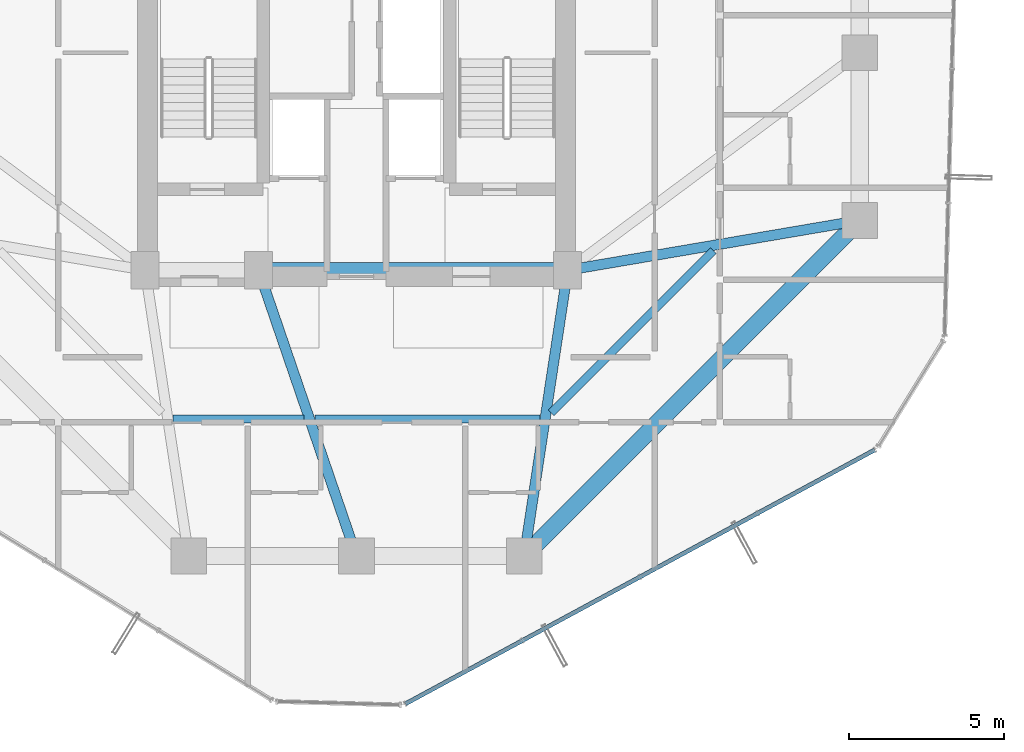
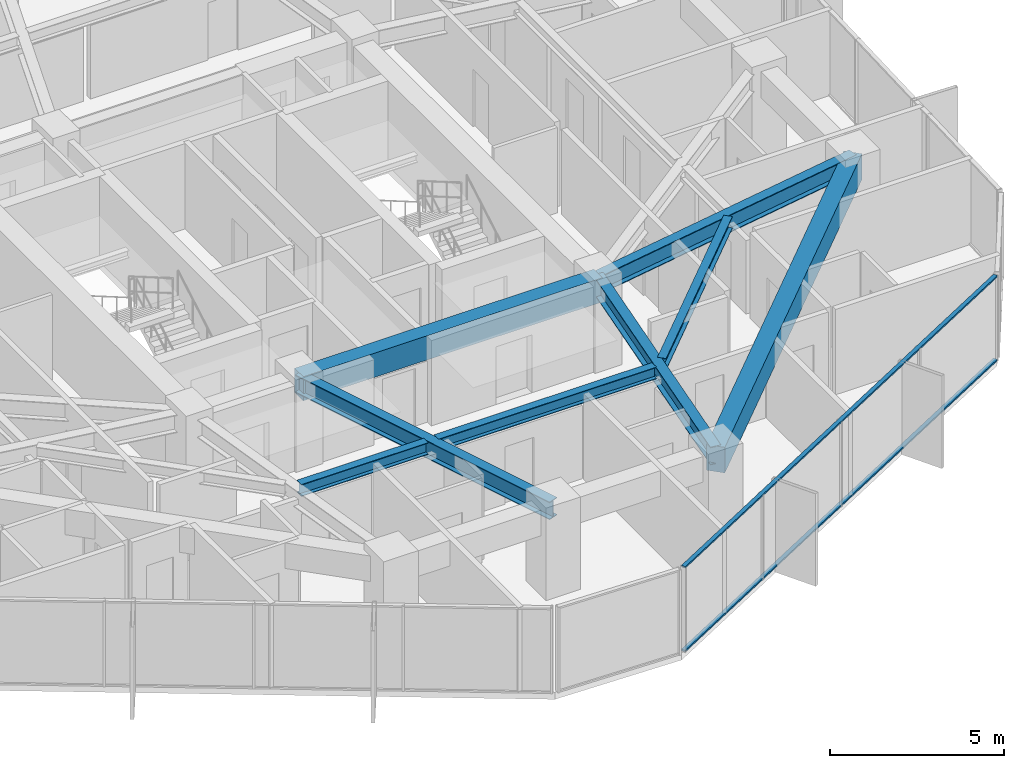
# One storey, part 8 of 30: 8 beams, 2 members, 1 element without a shape of its own.
"""IFC4 building model written with IfcOpenShell, lengths in metres."""

from ifc_helpers import new_model, si_unit, direction, frame, origin, origin_2d, place, context, subcontext, project, spatial, rectangle, hollow_rectangle, i_section, extrude, source, transform, mapped, material, layer, layer_set, material_profile, profile_set, type_object, element, aggregate, save


model = new_model("IFC4")

# Units and contexts
model_context = context("Model", 3, precision=1e-05, world=origin(), true_north=direction((0.0, 1.0)))
body_context = subcontext(model_context, "Body", "Model", "MODEL_VIEW")
ifc_project = project(units=[si_unit("LENGTHUNIT", "METRE"), si_unit("AREAUNIT", "SQUARE_METRE"), si_unit("VOLUMEUNIT", "CUBIC_METRE"), si_unit("PLANEANGLEUNIT", "RADIAN"), si_unit("MASSUNIT", "GRAM", prefix="KILO")], contexts=[model_context])

# Site, building, storey
site_placement = place(None, origin())
site = spatial("IfcSite", under=ifc_project, at=site_placement, CompositionType="ELEMENT")
building_placement = place(site_placement, origin())
building = spatial("IfcBuilding", under=site, at=building_placement, Name="Veraguas Prism Commons", CompositionType="ELEMENT")
storey_placement = place(building_placement, frame((0.0, 0.0, 123.0)))
storey = spatial("IfcBuildingStorey", under=building, at=storey_placement, Name="L34", CompositionType="ELEMENT", Elevation=123.0)

# Beams
ifc_material_1 = material(Name="Concrete C50/60", Category="concrete")
ifc_material_profile_1 = material_profile(ifc_material_1, rectangle(XDim=0.5, YDim=0.85009765625, at=origin_2d()), Name="RC500X850")
ifc_profile_set_1 = profile_set([ifc_material_profile_1], Name="Concrete C50/60")
beam_type_1 = type_object("IfcBeamType", Name="Core Coupling Beam RC 500x850", PredefinedType="BEAM", material=ifc_profile_set_1)
beam_1_placement = place(storey_placement, frame((20.85009765625, 17.0, 2.574951171875), z_axis=(1.0, 0.0, 0.0), x_axis=(0.0, 1.0, 0.0)))
element("IfcBeam", 1, at=beam_1_placement, inside=storey, type_object=beam_type_1, Name="Core Coupling Beam L34-CRS2", PredefinedType="BEAM", context=body_context, shape_type="SweptSolid", body=[
    extrude(rectangle(XDim=0.5, YDim=0.85009765625, at=origin_2d()), origin(), (0.0, 0.0, 1.0), 9.949951171875),
])
ifc_material_2 = material(Name="Steel ASTM A992 Grade 50", Category="steel")
ifc_material_profile_2 = material_profile(ifc_material_2, i_section(OverallWidth=0.260986328125, OverallDepth=0.419921875, WebThickness=0.01171875, FlangeThickness=0.019287109375, at=origin_2d()), Name="W410X114")
ifc_profile_set_2 = profile_set([ifc_material_profile_2], Name="Steel ASTM A992 Grade 50")
beam_type_2 = type_object("IfcBeamType", Name="Lower Floor Joist W410x114", PredefinedType="JOIST", material=ifc_profile_set_2)
beam_2_placement = place(storey_placement, frame((18.091796875, 12.216064453125, 2.7900390625), z_axis=(1.0, 0.0, 0.0), x_axis=(0.0, 1.0, 0.0)))
element("IfcBeam", 2, at=beam_2_placement, inside=storey, type_object=beam_type_2, Name="Composite Floor Joist L34-JS10", PredefinedType="JOIST", context=body_context, shape_type="SweptSolid", body=[
    extrude(i_section(OverallWidth=0.260986328125, OverallDepth=0.419921875, WebThickness=0.01171875, FlangeThickness=0.019287109375, at=origin_2d()), origin(), (0.0, 0.0, 1.0), 4.22509765625),
])
beam_3_placement = place(storey_placement, frame((22.6591796875, 12.216064453125, 2.7900390625), z_axis=(1.0, 0.0, 0.0), x_axis=(0.0, 1.0, 0.0)))
element("IfcBeam", 3, at=beam_3_placement, inside=storey, type_object=beam_type_2, Name="Composite Floor Joist L34-JS11", PredefinedType="JOIST", context=body_context, shape_type="SweptSolid", body=[
    extrude(i_section(OverallWidth=0.260986328125, OverallDepth=0.419921875, WebThickness=0.01171875, FlangeThickness=0.019287109375, at=origin_2d()), origin(), (0.0, 0.0, 1.0), 7.2490234375),
])
beam_4_placement = place(storey_placement, frame((30.265380859375, 12.4091796875, 2.7900390625), z_axis=(0.707090260193, 0.707123301794, 0.0), x_axis=(-0.707123301794, 0.707090260193, 0.0)))
element("IfcBeam", 4, at=beam_4_placement, inside=storey, type_object=beam_type_2, Name="Composite Floor Joist L34-JS12", PredefinedType="JOIST", context=body_context, shape_type="SweptSolid", body=[
    extrude(i_section(OverallWidth=0.260986328125, OverallDepth=0.419921875, WebThickness=0.01171875, FlangeThickness=0.019287109375, at=origin_2d()), origin(), (0.0, 0.0, 1.0), 7.388916015625),
])
ifc_material_profile_3 = material_profile(ifc_material_1, rectangle(XDim=0.550048828125, YDim=0.89990234375, at=origin_2d()), Name="RC550X900")
ifc_profile_set_3 = profile_set([ifc_material_profile_3], Name="Concrete C50/60")
beam_type_3 = type_object("IfcBeamType", Name="Perimeter Spandrel Lower RC 550x900", PredefinedType="SPANDREL", material=ifc_profile_set_3)
beam_5_placement = place(storey_placement, frame((29.39990234375, 7.800048828125, 2.550048828125), z_axis=(0.707106781187, 0.707106781187, 0.0), x_axis=(-0.707106781187, 0.707106781187, 0.0)))
element("IfcBeam", 5, at=beam_5_placement, inside=storey, type_object=beam_type_3, Name="Perimeter Spandrel Beam L34-SP12", PredefinedType="SPANDREL", context=body_context, shape_type="SweptSolid", body=[
    extrude(rectangle(XDim=0.550048828125, YDim=0.89990234375, at=origin_2d()), origin(), (0.0, 0.0, 1.0), 15.273681640625),
])
ifc_material_profile_4 = material_profile(ifc_material_2, i_section(OverallWidth=0.327880859375, OverallDepth=0.6220703125, WebThickness=0.015380859375, FlangeThickness=0.0244140625, at=origin_2d()), Name="W610X195")
ifc_profile_set_4 = profile_set([ifc_material_profile_4], Name="Steel ASTM A992 Grade 50")
beam_type_4 = type_object("IfcBeamType", Name="Zone 2 Radial Girder W610x195", PredefinedType="BEAM", material=ifc_profile_set_4)
beam_6_placement = place(storey_placement, frame((40.199951171875, 18.60009765625, 2.68896484375), z_axis=(-0.985819187151, -0.1678109956, 0.0), x_axis=(0.1678109956, -0.985819187151, 0.0)))
element("IfcBeam", 6, at=beam_6_placement, inside=storey, type_object=beam_type_4, Name="Radial Floor Girder L34-RD01", PredefinedType="BEAM", context=body_context, shape_type="SweptSolid", body=[
    extrude(i_section(OverallWidth=0.327880859375, OverallDepth=0.6220703125, WebThickness=0.015380859375, FlangeThickness=0.0244140625, at=origin_2d()), origin(), (0.0, 0.0, 1.0), 9.53515625),
])
beam_7_placement = place(storey_placement, frame((24.0, 7.800048828125, 2.68896484375), z_axis=(-0.323922482989, 0.946083624747, 0.0), x_axis=(-0.946083624747, -0.323922482989, 0.0)))
element("IfcBeam", 7, at=beam_7_placement, inside=storey, type_object=beam_type_4, Name="Radial Floor Girder L34-RD11", PredefinedType="BEAM", context=body_context, shape_type="SweptSolid", body=[
    extrude(i_section(OverallWidth=0.327880859375, OverallDepth=0.6220703125, WebThickness=0.015380859375, FlangeThickness=0.0244140625, at=origin_2d()), origin(), (0.0, 0.0, 1.0), 9.724365234375),
])
beam_8_placement = place(storey_placement, frame((29.39990234375, 7.800048828125, 2.68896484375), z_axis=(0.150458162136, 0.98861637729, 0.0), x_axis=(-0.98861637729, 0.150458162136, 0.0)))
element("IfcBeam", 8, at=beam_8_placement, inside=storey, type_object=beam_type_4, Name="Radial Floor Girder L34-RD12", PredefinedType="BEAM", context=body_context, shape_type="SweptSolid", body=[
    extrude(i_section(OverallWidth=0.327880859375, OverallDepth=0.6220703125, WebThickness=0.015380859375, FlangeThickness=0.0244140625, at=origin_2d()), origin(), (0.0, 0.0, 1.0), 9.305908203125),
])

# Curtain wall, members
ifc_material_3 = material(Name="Anodised aluminium EN AW-6063 T6", Category="aluminium")
ifc_layer = layer(ifc_material_3, 0.169921875, Name="Unitised Flush Curtain Wall Zone 2", Category="aluminium")
ifc_layer_set = layer_set([ifc_layer], Name="Anodised aluminium EN AW-6063 T6")
curtain_wall_type = type_object("IfcCurtainWallType", Name="Unitised Flush Curtain Wall Zone 2", PredefinedType="NOTDEFINED", material=ifc_layer_set)
curtain_wall_placement = place(storey_placement, origin())
curtain_wall = element("IfcCurtainWall", 9, at=curtain_wall_placement, inside=storey, type_object=curtain_wall_type, Name="Tower Facade Curtain Wall L34-F5", PredefinedType="NOTDEFINED")
ifc_material_profile_5 = material_profile(ifc_material_3, hollow_rectangle(XDim=0.054931640625, YDim=0.135009765625, WallThickness=0.0029296875, at=origin_2d()), Name="AL55X135X3")
ifc_profile_set_5 = profile_set([ifc_material_profile_5], Name="Anodised aluminium EN AW-6063 T6")
member_type = type_object("IfcMemberType", Name="Curtain Wall Transom Standard AL 55x135x3", PredefinedType="USERDEFINED", material=ifc_profile_set_5)
shared_shape = source(origin(), body_context, "Body", "SweptSolid", [
    extrude(hollow_rectangle(XDim=0.054931640625, YDim=0.135009765625, WallThickness=0.0029296875, at=origin_2d()), origin(), (0.0, 0.0, 1.0), 17.17431640625),
])
member_1_placement = place(storey_placement, frame((25.577392578125, 3.04248046875, 0.027587890625), z_axis=(0.879481410811, 0.475933239056, 0.0), x_axis=(0.0, 0.0, 1.0)))
member_1 = element("IfcMember", 10, at=member_1_placement, type_object=member_type, Name="CW-Z2 Transom 1", ObjectType="TRANSOM", PredefinedType="USERDEFINED", context=body_context, shape_type="MappedRepresentation", body=[
    mapped(shared_shape, transform((0.0, 0.0, 0.0), scale=1.0)),
])
member_2_placement = place(storey_placement, frame((25.577392578125, 3.04248046875, 2.972412109375), z_axis=(0.879481410811, 0.475933239056, 0.0), x_axis=(0.0, 0.0, 1.0)))
member_2 = element("IfcMember", 11, at=member_2_placement, type_object=member_type, Name="CW-Z2 Transom 2", ObjectType="TRANSOM", PredefinedType="USERDEFINED", context=body_context, shape_type="MappedRepresentation", body=[
    mapped(shared_shape, transform((0.0, 0.0, 0.0), scale=1.0)),
])
aggregate(curtain_wall, [member_1, member_2])

save(model, "model.ifc")
